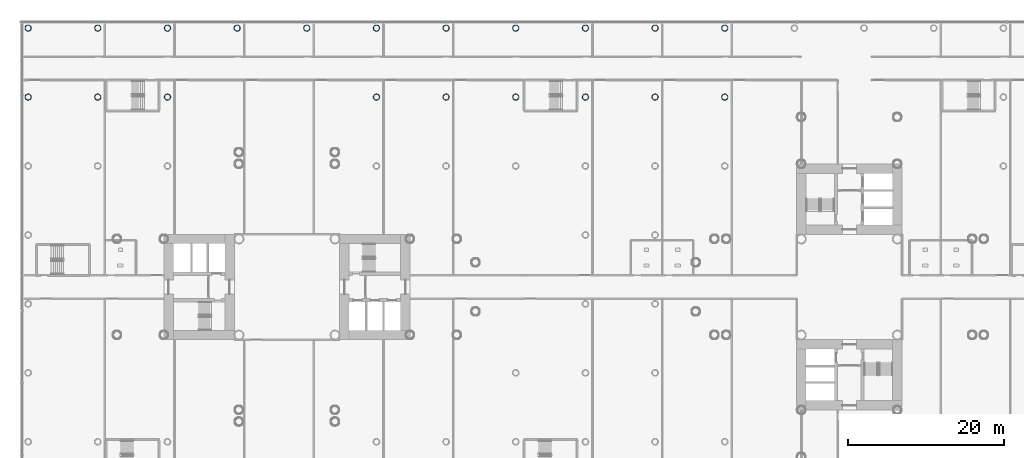
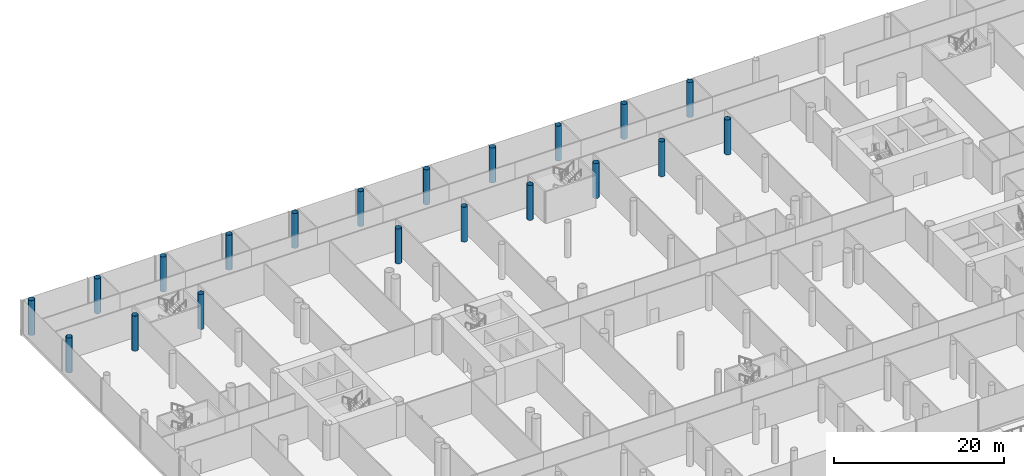
# One storey, part 3 of 59: 20 columns.
"""IFC4 building model written with IfcOpenShell, lengths in metres."""

from ifc_helpers import new_model, si_unit, direction, frame, origin, origin_2d, place, context, subcontext, project, spatial, hollow_circle, extrude, material, material_profile, profile_set, type_object, element, save


model = new_model("IFC4")

# Units and contexts
model_context = context("Model", 3, precision=1e-05, world=origin(), true_north=direction((0.0, 1.0)))
body_context = subcontext(model_context, "Body", "Model", "MODEL_VIEW")
ifc_project = project(units=[si_unit("LENGTHUNIT", "METRE"), si_unit("AREAUNIT", "SQUARE_METRE"), si_unit("VOLUMEUNIT", "CUBIC_METRE"), si_unit("PLANEANGLEUNIT", "RADIAN"), si_unit("MASSUNIT", "GRAM", prefix="KILO")], contexts=[model_context])

# Site, building, storey
site_placement = place(None, origin())
site = spatial("IfcSite", under=ifc_project, at=site_placement, CompositionType="ELEMENT")
building_placement = place(site_placement, origin())
building = spatial("IfcBuilding", under=site, at=building_placement, Name="Ipe Terrace Towers", CompositionType="ELEMENT")
storey_placement = place(building_placement, frame((0.0, 0.0, 6.0)))
storey = spatial("IfcBuildingStorey", under=building, at=storey_placement, Name="L01", CompositionType="ELEMENT", Elevation=6.0)

# Columns
ifc_material = material(Name="Steel S355 tube with Concrete C60/75 fill", Category="concrete")
ifc_material_profile = material_profile(ifc_material, hollow_circle(Radius=0.39990234375, WallThickness=0.028076171875, at=origin_2d()), Name="CHS-800x28")
ifc_profile_set = profile_set([ifc_material_profile], Name="Steel S355 tube with Concrete C60/75 fill")
column_type = type_object("IfcColumnType", Name="CH09 PODIUM COLUMN CHS-800x28", PredefinedType="COLUMN", material=ifc_profile_set)
for number, where, z_axis, x_axis, name in (
    (1, (-69.14990234375, 24.321044921875, 0.0), (0.0, 0.0, 1.0), (1.0, 0.0, 0.0), "Column PD-C-J01"),
    (2, (-60.22998046875, 24.321044921875, 0.0), (0.0, 0.0, 1.0), (1.0, 0.0, 0.0), "Column PD-C-J02"),
    (3, (-51.31005859375, 24.321044921875, 0.0), (0.0, 0.0, 1.0), (1.0, 0.0, 0.0), "Column PD-C-J03"),
    (4, (-24.550048828125, 24.321044921875, 0.0), (0.0, 0.0, 1.0), (1.0, 0.0, 0.0), "Column PD-C-J06"),
    (5, (-15.6298828125, 24.321044921875, 0.0), (0.0, 0.0, 1.0), (1.0, 0.0, 0.0), "Column PD-C-J07"),
    (6, (-6.7099609375, 24.321044921875, 0.0), (0.0, 0.0, 1.0), (1.0, 0.0, 0.0), "Column PD-C-J08"),
    (7, (2.2099609375, 24.321044921875, 0.0), (0.0, 0.0, 1.0), (1.0, 0.0, 0.0), "Column PD-C-J09"),
    (8, (11.1298828125, 24.321044921875, 0.0), (0.0, 0.0, 1.0), (1.0, 0.0, 0.0), "Column PD-C-J10"),
    (9, (20.050048828125, 24.321044921875, 0.0), (0.0, 0.0, 1.0), (1.0, 0.0, 0.0), "Column PD-C-J11"),
    (10, (-69.14990234375, 33.14990234375, 0.0), (0.0, 0.0, 1.0), (1.0, 0.0, 0.0), "Column PD-C-K01"),
    (11, (-60.22998046875, 33.14990234375, 0.0), (0.0, 0.0, 1.0), (1.0, 0.0, 0.0), "Column PD-C-K02"),
    (12, (-51.31005859375, 33.14990234375, 0.0), (0.0, 0.0, 1.0), (1.0, 0.0, 0.0), "Column PD-C-K03"),
    (13, (-42.389892578125, 33.14990234375, 0.0), (0.0, 0.0, 1.0), (1.0, 0.0, 0.0), "Column PD-C-K04"),
    (14, (-33.469970703125, 33.14990234375, 0.0), (0.0, 0.0, 1.0), (1.0, 0.0, 0.0), "Column PD-C-K05"),
    (15, (-24.550048828125, 33.14990234375, 0.0), (0.0, 0.0, 1.0), (1.0, 0.0, 0.0), "Column PD-C-K06"),
    (16, (-15.6298828125, 33.14990234375, 0.0), (0.0, 0.0, 1.0), (1.0, 0.0, 0.0), "Column PD-C-K07"),
    (17, (-6.7099609375, 33.14990234375, 0.0), (0.0, 0.0, 1.0), (1.0, 0.0, 0.0), "Column PD-C-K08"),
    (18, (2.2099609375, 33.14990234375, 0.0), (0.0, 0.0, 1.0), (1.0, 0.0, 0.0), "Column PD-C-K09"),
    (19, (11.1298828125, 33.14990234375, 0.0), (0.0, 0.0, 1.0), (1.0, 0.0, 0.0), "Column PD-C-K10"),
    (20, (20.050048828125, 33.14990234375, 0.0), (0.0, 0.0, 1.0), (1.0, 0.0, 0.0), "Column PD-C-K11"),
):
    element("IfcColumn", number, at=place(storey_placement, frame(where, z_axis=z_axis, x_axis=x_axis)), inside=storey, type_object=column_type, Name=name, PredefinedType="COLUMN", context=body_context, shape_type="SweptSolid", body=[
        extrude(hollow_circle(Radius=0.39990234375, WallThickness=0.028076171875, at=origin_2d()), origin(), (0.0, 0.0, 1.0), 5.0),
    ])

save(model, "model.ifc")
